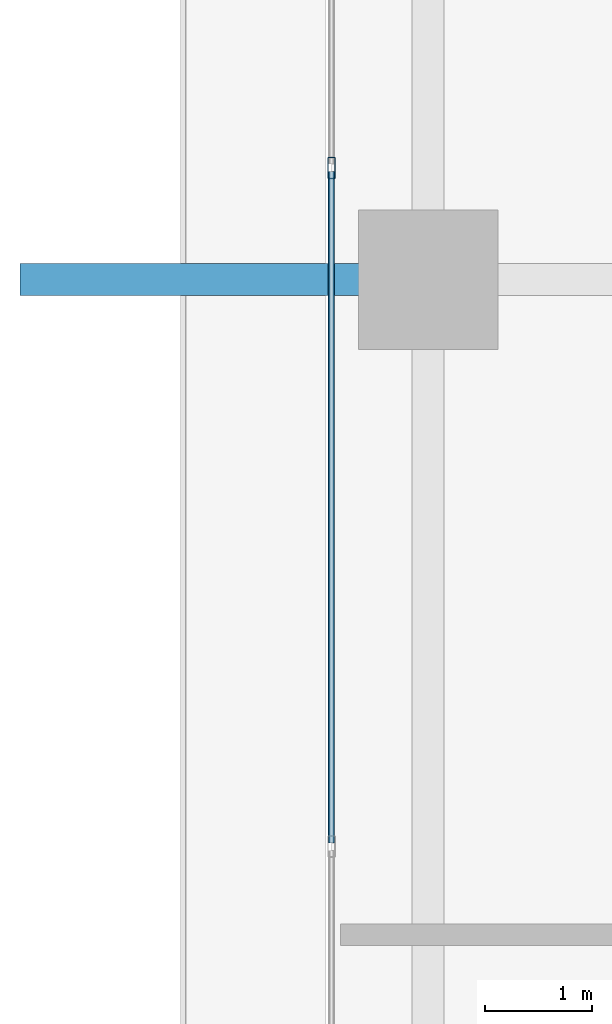
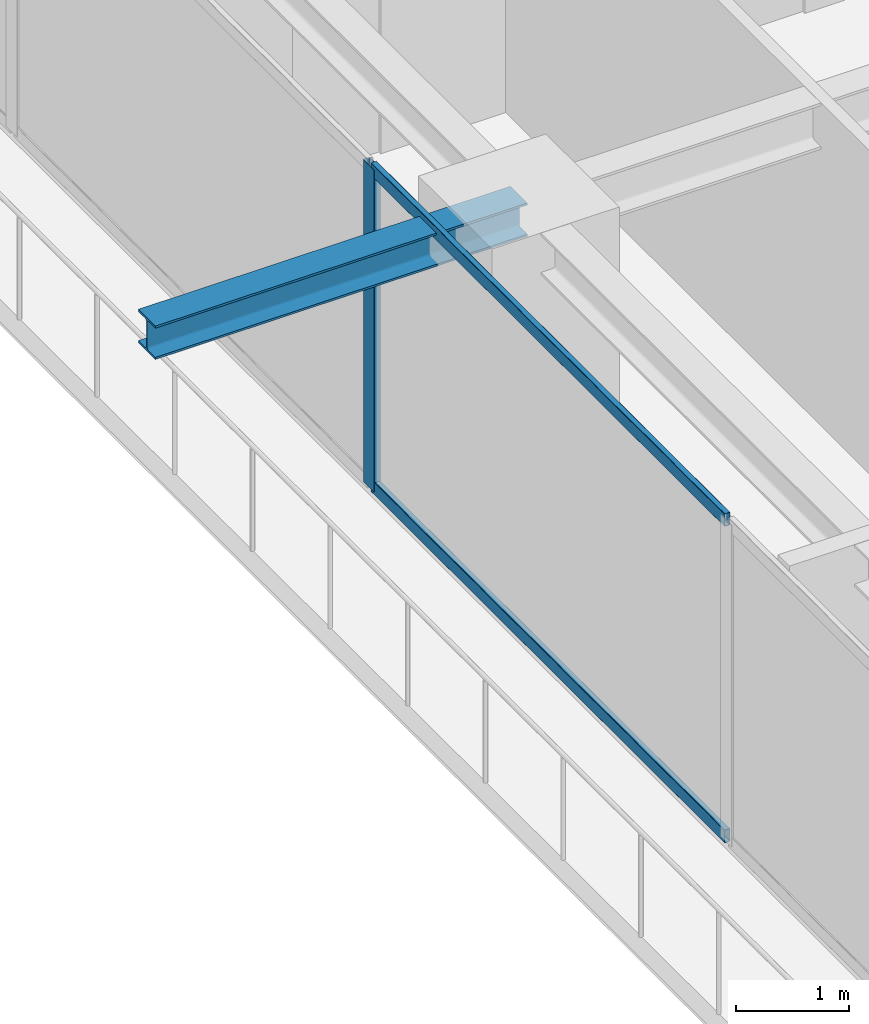
# One storey, part 6 of 34: 3 members, 1 beam, 1 element without a shape of its own.
"""IFC4 building model written with IfcOpenShell, lengths in metres."""

from ifc_helpers import new_model, si_unit, direction, frame, origin, origin_2d, place, context, subcontext, project, spatial, hollow_rectangle, i_section, extrude, source, transform, mapped, material, layer, layer_set, material_profile, profile_set, type_object, element, aggregate, save


model = new_model("IFC4")

# Units and contexts
model_context = context("Model", 3, precision=1e-05, world=origin(), true_north=direction((0.0, 1.0)))
body_context = subcontext(model_context, "Body", "Model", "MODEL_VIEW")
ifc_project = project(units=[si_unit("LENGTHUNIT", "METRE"), si_unit("AREAUNIT", "SQUARE_METRE"), si_unit("VOLUMEUNIT", "CUBIC_METRE"), si_unit("PLANEANGLEUNIT", "RADIAN"), si_unit("MASSUNIT", "GRAM", prefix="KILO")], contexts=[model_context])

# Site, building, storey
site_placement = place(None, origin())
site = spatial("IfcSite", under=ifc_project, at=site_placement, CompositionType="ELEMENT")
building_placement = place(site_placement, origin())
building = spatial("IfcBuilding", under=site, at=building_placement, Name="Serunith Strait Residences", CompositionType="ELEMENT")
storey_placement = place(building_placement, frame((0.0, 0.0, 135.14990234375)))
storey = spatial("IfcBuildingStorey", under=building, at=storey_placement, Name="L33", CompositionType="ELEMENT", Elevation=135.14990234375)

# Beam
ifc_material_1 = material(Name="Steel S355J2", Category="steel")
ifc_material_profile_1 = material_profile(ifc_material_1, i_section(OverallWidth=0.300048828125, OverallDepth=0.360107421875, WebThickness=0.012451171875, FlangeThickness=0.0224609375, FilletRadius=0.027099609375, at=origin_2d()), Name="HEB 360")
ifc_profile_set_1 = profile_set([ifc_material_profile_1], Name="Steel S355J2")
beam_type = type_object("IfcBeamType", Name="BM-HEB360", PredefinedType="BEAM", material=ifc_profile_set_1)
shared_shape_1 = source(origin(), body_context, "Body", "SweptSolid", [
    extrude(i_section(OverallWidth=0.300048828125, OverallDepth=0.360107421875, WebThickness=0.012451171875, FlangeThickness=0.0224609375, FilletRadius=0.027099609375, at=origin_2d()), origin(), (0.0, 0.0, 1.0), 3.800048828125),
])
beam_placement = place(storey_placement, frame((8.699951171875, 21.0, 3.277099609375), z_axis=(-1.0, 0.0, 0.0), x_axis=(0.0, -1.0, 0.0)))
element("IfcBeam", 1, at=beam_placement, inside=storey, type_object=beam_type, Name="L34 Cantilevered Balcony Rib TC-W2", PredefinedType="BEAM", context=body_context, shape_type="MappedRepresentation", body=[
    mapped(shared_shape_1, transform((0.0, 0.0, 0.0), scale=1.0)),
])

# Curtain wall, members
ifc_material_2 = material(Name="Pale-Champagne Anodised Aluminium", Category="aluminium")
ifc_layer = layer(ifc_material_2, 0.199951171875, Name="Pale-Champagne Anodised Aluminium")
ifc_layer_set = layer_set([ifc_layer], Name="Pale-Champagne Anodised Aluminium")
curtain_wall_type = type_object("IfcCurtainWallType", Name="CW-SYS2", PredefinedType="NOTDEFINED", material=ifc_layer_set)
curtain_wall_placement = place(storey_placement, origin())
curtain_wall = element("IfcCurtainWall", 2, at=curtain_wall_placement, inside=storey, type_object=curtain_wall_type, Name="L33 W Unitised Fritted Curtain Wall", PredefinedType="NOTDEFINED")
ifc_material_profile_2 = material_profile(ifc_material_2, hollow_rectangle(XDim=0.070068359375, YDim=0.199951171875, WallThickness=0.00390625, InnerFilletRadius=0.006103515625, OuterFilletRadius=0.010009765625, at=origin_2d()), Name="ALU 200x70x4")
ifc_profile_set_2 = profile_set([ifc_material_profile_2], Name="Pale-Champagne Anodised Aluminium")
member_type_1 = type_object("IfcMemberType", Name="CW-SYS2-MULL", PredefinedType="MULLION", material=ifc_profile_set_2)
shared_shape_2 = source(origin(), body_context, "Body", "SweptSolid", [
    extrude(hollow_rectangle(XDim=0.070068359375, YDim=0.199951171875, WallThickness=0.00390625, InnerFilletRadius=0.006103515625, OuterFilletRadius=0.010009765625, at=origin_2d()), origin(), (0.0, 0.0, 1.0), 3.47509765625),
])
member_1_placement = place(storey_placement, frame((7.800048828125, 22.0400390625, 0.0), z_axis=(0.0, 0.0, 1.0), x_axis=(1.0, 0.0, 0.0)))
member_1 = element("IfcMember", 3, at=member_1_placement, type_object=member_type_1, Name="CW-2 mullion 4", PredefinedType="MULLION", context=body_context, shape_type="MappedRepresentation", body=[
    mapped(shared_shape_2, transform((0.0, 0.0, 0.0), scale=1.0)),
])
ifc_material_profile_3 = material_profile(ifc_material_2, hollow_rectangle(XDim=0.06005859375, YDim=0.139892578125, WallThickness=0.00341796875, InnerFilletRadius=0.00537109375, OuterFilletRadius=0.0087890625, at=origin_2d()), Name="ALU 140x60x3.5")
ifc_profile_set_3 = profile_set([ifc_material_profile_3], Name="Pale-Champagne Anodised Aluminium")
member_type_2 = type_object("IfcMemberType", Name="CW-SYS2-TRAN", PredefinedType="USERDEFINED", material=ifc_profile_set_3)
shared_shape_3 = source(origin(), body_context, "Body", "SweptSolid", [
    extrude(hollow_rectangle(XDim=0.06005859375, YDim=0.139892578125, WallThickness=0.00341796875, InnerFilletRadius=0.00537109375, OuterFilletRadius=0.0087890625, at=origin_2d()), origin(), (0.0, 0.0, 1.0), 6.25),
])
member_2_placement = place(storey_placement, frame((7.800048828125, 22.0048828125, 0.030029296875), z_axis=(0.0, -1.0, 0.0), x_axis=(1.0, 0.0, 0.0)))
member_2 = element("IfcMember", 4, at=member_2_placement, type_object=member_type_2, Name="CW-2 transom 4.1", ObjectType="TRANSOM", PredefinedType="USERDEFINED", context=body_context, shape_type="MappedRepresentation", body=[
    mapped(shared_shape_3, transform((0.0, 0.0, 0.0), scale=1.0)),
])
member_3_placement = place(storey_placement, frame((7.800048828125, 22.0048828125, 3.445068359375), z_axis=(0.0, -1.0, 0.0), x_axis=(1.0, 0.0, 0.0)))
member_3 = element("IfcMember", 5, at=member_3_placement, type_object=member_type_2, Name="CW-2 transom 4.2", ObjectType="TRANSOM", PredefinedType="USERDEFINED", context=body_context, shape_type="MappedRepresentation", body=[
    mapped(shared_shape_3, transform((0.0, 0.0, 0.0), scale=1.0)),
])
aggregate(curtain_wall, [member_1, member_2, member_3])

save(model, "model.ifc")
